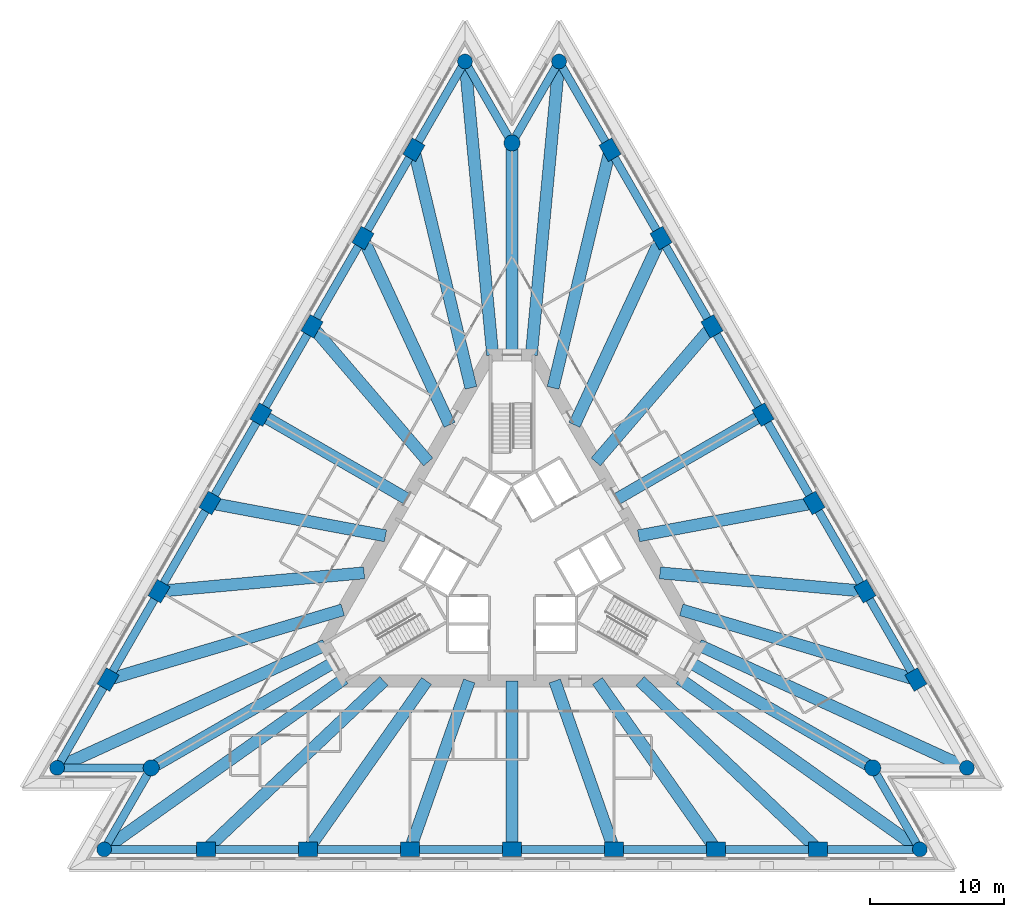
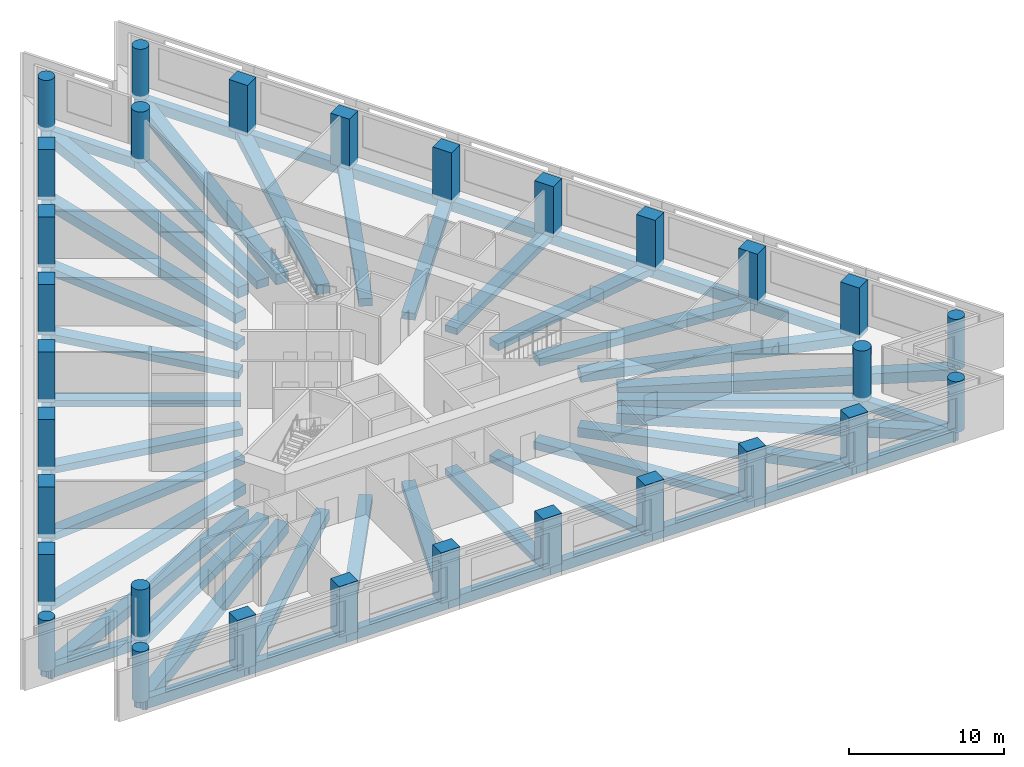
# One storey, part 1 of 11: 58 beams, 30 columns.
"""IFC4 building model written with IfcOpenShell, lengths in metres."""

from ifc_helpers import new_model, si_unit, direction, frame, origin, origin_2d, place, context, subcontext, project, spatial, rectangle, circle, extrude, material, material_profile, profile_set, type_object, element, save


model = new_model("IFC4")

# Units and contexts
model_context = context("Model", 3, precision=1e-05, world=origin(), true_north=direction((0.0, 1.0)))
body_context = subcontext(model_context, "Body", "Model", "MODEL_VIEW")
ifc_project = project(units=[si_unit("LENGTHUNIT", "METRE"), si_unit("AREAUNIT", "SQUARE_METRE"), si_unit("VOLUMEUNIT", "CUBIC_METRE"), si_unit("PLANEANGLEUNIT", "RADIAN"), si_unit("MASSUNIT", "GRAM", prefix="KILO")], contexts=[model_context])

# Site, building, storey
site_placement = place(None, origin())
site = spatial("IfcSite", under=ifc_project, at=site_placement, CompositionType="ELEMENT")
building_placement = place(site_placement, origin())
building = spatial("IfcBuilding", under=site, at=building_placement, Name="Triada Interchange Tower", CompositionType="ELEMENT")
storey_placement = place(building_placement, frame((0.0, 0.0, 39.300048828125)))
storey = spatial("IfcBuildingStorey", under=building, at=storey_placement, Name="L07", CompositionType="ELEMENT", Elevation=39.300048828125)

# Columns
ifc_material_1 = material(Name="Concrete C70/85", Category="concrete")
ifc_material_profile_1 = material_profile(ifc_material_1, rectangle(XDim=1.39990234375, YDim=1.10009765625, at=origin_2d()), Name="RC 1400x1100")
ifc_profile_set_1 = profile_set([ifc_material_profile_1], Name="Concrete C70/85")
column_type_1 = type_object("IfcColumnType", Name="Column A face RC 1400x1100", PredefinedType="COLUMN", material=ifc_profile_set_1)
for number, where, z_axis, x_axis, name in (
    (1, (-7.306884765625, 30.5439453125, -0.300048828125), (0.0, 0.0, 1.0), (0.5, 0.866025403784, 0.0), "Column CA02 L07"),
    (2, (-11.10595703125, 23.9619140625, -0.300048828125), (0.0, 0.0, 1.0), (0.5, 0.866025403784, 0.0), "Column CA03 L07"),
    (3, (-14.906005859375, 17.381103515625, -0.300048828125), (0.0, 0.0, 1.0), (0.5, 0.866025403784, 0.0), "Column CA04 L07"),
    (4, (-18.7060546875, 10.800048828125, -0.300048828125), (0.0, 0.0, 1.0), (0.5, 0.866025403784, 0.0), "Column CA05 L07"),
    (5, (-22.506103515625, 4.218994140625, -0.300048828125), (0.0, 0.0, 1.0), (0.5, 0.866025403784, 0.0), "Column CA06 L07"),
    (6, (-26.305908203125, -2.362060546875, -0.300048828125), (0.0, 0.0, 1.0), (0.5, 0.866025403784, 0.0), "Column CA07 L07"),
    (7, (-30.10498046875, -8.944091796875, -0.300048828125), (0.0, 0.0, 1.0), (0.5, 0.866025403784, 0.0), "Column CA08 L07"),
    (8, (-22.798095703125, -21.60009765625, -0.300048828125), (0.0, 0.0, 1.0), (1.0, 0.0, 0.0), "Column CA11 L07"),
    (9, (-15.197998046875, -21.60009765625, -0.300048828125), (0.0, 0.0, 1.0), (1.0, 0.0, 0.0), "Column CA12 L07"),
    (10, (-7.59912109375, -21.60009765625, -0.300048828125), (0.0, 0.0, 1.0), (1.0, 0.0, 0.0), "Column CA13 L07"),
    (11, (0.0, -21.60009765625, -0.300048828125), (0.0, 0.0, 1.0), (1.0, 0.0, 0.0), "Column CA14 L07"),
    (12, (7.59912109375, -21.60009765625, -0.300048828125), (0.0, 0.0, 1.0), (1.0, 0.0, 0.0), "Column CA15 L07"),
    (13, (15.198974609375, -21.60009765625, -0.300048828125), (0.0, 0.0, 1.0), (1.0, 0.0, 0.0), "Column CA16 L07"),
    (14, (22.798095703125, -21.60009765625, -0.300048828125), (0.0, 0.0, 1.0), (1.0, 0.0, 0.0), "Column CA17 L07"),
    (15, (30.10498046875, -8.944091796875, -0.300048828125), (0.0, 0.0, 1.0), (-0.5, 0.866025403784, 0.0), "Column CA20 L07"),
    (16, (26.305908203125, -2.363037109375, -0.300048828125), (0.0, 0.0, 1.0), (-0.5, 0.866025403784, 0.0), "Column CA21 L07"),
    (17, (22.506103515625, 4.218994140625, -0.300048828125), (0.0, 0.0, 1.0), (-0.5, 0.866025403784, 0.0), "Column CA22 L07"),
    (18, (18.7060546875, 10.800048828125, -0.300048828125), (0.0, 0.0, 1.0), (-0.5, 0.866025403784, 0.0), "Column CA23 L07"),
    (19, (14.906005859375, 17.381103515625, -0.300048828125), (0.0, 0.0, 1.0), (-0.5, 0.866025403784, 0.0), "Column CA24 L07"),
    (20, (11.10595703125, 23.9619140625, -0.300048828125), (0.0, 0.0, 1.0), (-0.5, 0.866025403784, 0.0), "Column CA25 L07"),
    (21, (7.306884765625, 30.5439453125, -0.300048828125), (0.0, 0.0, 1.0), (-0.5, 0.866025403784, 0.0), "Column CA26 L07"),
):
    element("IfcColumn", number, at=place(storey_placement, frame(where, z_axis=z_axis, x_axis=x_axis)), inside=storey, type_object=column_type_1, Name=name, PredefinedType="COLUMN", context=body_context, shape_type="SweptSolid", body=[
        extrude(rectangle(XDim=1.39990234375, YDim=1.10009765625, at=origin_2d()), origin(), (0.0, 0.0, 1.0), 4.0),
    ])
ifc_material_profile_2 = material_profile(ifc_material_1, circle(Radius=0.550048828125, at=origin_2d()), Name="RC D1100")
ifc_profile_set_2 = profile_set([ifc_material_profile_2], Name="Concrete C70/85")
column_type_2 = type_object("IfcColumnType", Name="End column A RC D1100", PredefinedType="COLUMN", material=ifc_profile_set_2)
for number, where, z_axis, x_axis, name in (
    (22, (-3.507080078125, 37.125, -0.300048828125), (0.0, 0.0, 1.0), (0.5, 0.866025403784, 0.0), "Column CA01 L07"),
    (23, (-33.905029296875, -15.52490234375, -0.300048828125), (0.0, 0.0, 1.0), (0.5, 0.866025403784, 0.0), "Column CA09 L07"),
    (24, (-30.39697265625, -21.60009765625, -0.300048828125), (0.0, 0.0, 1.0), (1.0, 0.0, 0.0), "Column CA10 L07"),
    (25, (30.39697265625, -21.60009765625, -0.300048828125), (0.0, 0.0, 1.0), (1.0, 0.0, 0.0), "Column CA18 L07"),
    (26, (33.905029296875, -15.52490234375, -0.300048828125), (0.0, 0.0, 1.0), (-0.5, 0.866025403784, 0.0), "Column CA19 L07"),
    (27, (3.507080078125, 37.125, -0.300048828125), (0.0, 0.0, 1.0), (-0.5, 0.866025403784, 0.0), "Column CA27 L07"),
):
    element("IfcColumn", number, at=place(storey_placement, frame(where, z_axis=z_axis, x_axis=x_axis)), inside=storey, type_object=column_type_2, Name=name, PredefinedType="COLUMN", context=body_context, shape_type="SweptSolid", body=[
        extrude(circle(Radius=0.550048828125, at=origin_2d()), origin(), (0.0, 0.0, 1.0), 4.0),
    ])
ifc_material_profile_3 = material_profile(ifc_material_1, circle(Radius=0.60009765625, at=origin_2d()), Name="RC D1200")
ifc_profile_set_3 = profile_set([ifc_material_profile_3], Name="Concrete C70/85")
column_type_3 = type_object("IfcColumnType", Name="Mega column A RC D1200", PredefinedType="COLUMN", material=ifc_profile_set_3)
for number, where, z_axis, x_axis, name in (
    (28, (0.0, 31.050048828125, -0.300048828125), (0.0, 0.0, 1.0), (1.0, 0.0, 0.0), "Column MA1 L07"),
    (29, (-26.889892578125, -15.52490234375, -0.300048828125), (0.0, 0.0, 1.0), (1.0, 0.0, 0.0), "Column MA2 L07"),
    (30, (26.889892578125, -15.52490234375, -0.300048828125), (0.0, 0.0, 1.0), (1.0, 0.0, 0.0), "Column MA3 L07"),
):
    element("IfcColumn", number, at=place(storey_placement, frame(where, z_axis=z_axis, x_axis=x_axis)), inside=storey, type_object=column_type_3, Name=name, PredefinedType="COLUMN", context=body_context, shape_type="SweptSolid", body=[
        extrude(circle(Radius=0.60009765625, at=origin_2d()), origin(), (0.0, 0.0, 1.0), 4.0),
    ])

# Beams
ifc_material_2 = material(Name="Concrete C50/60", Category="concrete")
ifc_material_profile_4 = material_profile(ifc_material_2, rectangle(XDim=0.89990234375, YDim=0.5, at=origin_2d()), Name="RC 900x500")
ifc_profile_set_4 = profile_set([ifc_material_profile_4], Name="Concrete C50/60")
beam_type_1 = type_object("IfcBeamType", Name="Radial band beam A RC 900x500", PredefinedType="BEAM", material=ifc_profile_set_4)
beam_1_placement = place(storey_placement, frame((-18.7060546875, 10.800048828125, -0.550048828125), z_axis=(0.866030743932, -0.499990750478, 0.0), x_axis=(0.499990750478, 0.866030743932, 0.0)))
element("IfcBeam", 31, at=beam_1_placement, inside=storey, type_object=beam_type_1, Name="Radial band beam BA05 L07", PredefinedType="BEAM", context=body_context, shape_type="SweptSolid", body=[
    extrude(rectangle(XDim=0.89990234375, YDim=0.5, at=origin_2d()), origin(), (0.0, 0.0, 1.0), 12.550537109375),
])
beam_2_placement = place(storey_placement, frame((0.0, -21.60009765625, -0.550048828125), z_axis=(0.0, 1.0, 0.0), x_axis=(-1.0, 0.0, 0.0)))
element("IfcBeam", 32, at=beam_2_placement, inside=storey, type_object=beam_type_1, Name="Radial band beam BA15 L07", PredefinedType="BEAM", context=body_context, shape_type="SweptSolid", body=[
    extrude(rectangle(XDim=0.89990234375, YDim=0.5, at=origin_2d()), origin(), (0.0, 0.0, 1.0), 12.550048828125),
])
beam_3_placement = place(storey_placement, frame((18.7060546875, 10.800048828125, -0.550048828125), z_axis=(-0.866030743932, -0.499990750478, 0.0), x_axis=(0.499990750478, -0.866030743932, 0.0)))
element("IfcBeam", 33, at=beam_3_placement, inside=storey, type_object=beam_type_1, Name="Radial band beam BA25 L07", PredefinedType="BEAM", context=body_context, shape_type="SweptSolid", body=[
    extrude(rectangle(XDim=0.89990234375, YDim=0.5, at=origin_2d()), origin(), (0.0, 0.0, 1.0), 12.550537109375),
])
ifc_material_profile_5 = material_profile(ifc_material_2, rectangle(XDim=0.89990234375, YDim=0.550048828125, at=origin_2d()), Name="RC 900x550")
ifc_profile_set_5 = profile_set([ifc_material_profile_5], Name="Concrete C50/60")
beam_type_2 = type_object("IfcBeamType", Name="Radial band beam A RC 900x550", PredefinedType="BEAM", material=ifc_profile_set_5)
beam_4_placement = place(storey_placement, frame((-14.906005859375, 17.381103515625, -0.574951171875), z_axis=(0.650986299773, -0.75908947925, 0.0), x_axis=(0.75908947925, 0.650986299773, 0.0)))
element("IfcBeam", 34, at=beam_4_placement, inside=storey, type_object=beam_type_2, Name="Radial band beam BA04 L07", PredefinedType="BEAM", context=body_context, shape_type="SweptSolid", body=[
    extrude(rectangle(XDim=0.89990234375, YDim=0.550048828125, at=origin_2d()), origin(), (0.0, 0.0, 1.0), 13.30419921875),
])
for number, where, z_axis, x_axis, name in (
    (35, (-22.506103515625, 4.218994140625, -0.574951171875), (0.982883818868, -0.184226487259, 0.0), (0.184226487259, 0.982883818868, 0.0), "Radial band beam BA06 L07"),
    (36, (-7.59912109375, -21.60009765625, -0.574951171875), (0.33185813028, 0.943329306959, 0.0), (-0.943329306959, 0.33185813028, 0.0), "Radial band beam BA14 L07"),
    (37, (7.59912109375, -21.60009765625, -0.574951171875), (-0.33185813028, 0.943329306959, 0.0), (-0.943329306959, -0.33185813028, 0.0), "Radial band beam BA16 L07"),
    (38, (22.506103515625, 4.218994140625, -0.574951171875), (-0.982883818868, -0.184226487259, 0.0), (0.184226487259, -0.982883818868, 0.0), "Radial band beam BA24 L07"),
):
    element("IfcBeam", number, at=place(storey_placement, frame(where, z_axis=z_axis, x_axis=x_axis)), inside=storey, type_object=beam_type_2, Name=name, PredefinedType="BEAM", context=body_context, shape_type="SweptSolid", body=[
        extrude(rectangle(XDim=0.89990234375, YDim=0.550048828125, at=origin_2d()), origin(), (0.0, 0.0, 1.0), 13.303955078125),
    ])
beam_5_placement = place(storey_placement, frame((14.906005859375, 17.381103515625, -0.574951171875), z_axis=(-0.650986299773, -0.75908947925, 0.0), x_axis=(0.75908947925, -0.650986299773, 0.0)))
element("IfcBeam", 39, at=beam_5_placement, inside=storey, type_object=beam_type_2, Name="Radial band beam BA26 L07", PredefinedType="BEAM", context=body_context, shape_type="SweptSolid", body=[
    extrude(rectangle(XDim=0.89990234375, YDim=0.550048828125, at=origin_2d()), origin(), (0.0, 0.0, 1.0), 13.30419921875),
])
ifc_material_profile_6 = material_profile(ifc_material_2, rectangle(XDim=0.89990234375, YDim=0.60009765625, at=origin_2d()), Name="RC 900x600")
ifc_profile_set_6 = profile_set([ifc_material_profile_6], Name="Concrete C50/60")
beam_type_3 = type_object("IfcBeamType", Name="Radial band beam A RC 900x600", PredefinedType="BEAM", material=ifc_profile_set_6)
beam_6_placement = place(storey_placement, frame((-11.10595703125, 23.9619140625, -0.60009765625), z_axis=(0.420529694642, -0.907278775198, 0.0), x_axis=(0.907278775198, 0.420529694642, 0.0)))
element("IfcBeam", 40, at=beam_6_placement, inside=storey, type_object=beam_type_3, Name="Radial band beam BA03 L07", PredefinedType="BEAM", context=body_context, shape_type="SweptSolid", body=[
    extrude(rectangle(XDim=0.89990234375, YDim=0.60009765625, at=origin_2d()), origin(), (0.0, 0.0, 1.0), 15.3447265625),
])
beam_7_placement = place(storey_placement, frame((-26.305908203125, -2.362060546875, -0.60009765625), z_axis=(0.995994682028, 0.089412490024, 0.0), x_axis=(-0.089412490024, 0.995994682028, 0.0)))
element("IfcBeam", 41, at=beam_7_placement, inside=storey, type_object=beam_type_3, Name="Radial band beam BA07 L07", PredefinedType="BEAM", context=body_context, shape_type="SweptSolid", body=[
    extrude(rectangle(XDim=0.89990234375, YDim=0.60009765625, at=origin_2d()), origin(), (0.0, 0.0, 1.0), 15.345458984375),
])
beam_8_placement = place(storey_placement, frame((-15.197998046875, -21.60009765625, -0.60009765625), z_axis=(0.575430742672, 0.81785051225, 0.0), x_axis=(-0.81785051225, 0.575430742672, 0.0)))
element("IfcBeam", 42, at=beam_8_placement, inside=storey, type_object=beam_type_3, Name="Radial band beam BA13 L07", PredefinedType="BEAM", context=body_context, shape_type="SweptSolid", body=[
    extrude(rectangle(XDim=0.89990234375, YDim=0.60009765625, at=origin_2d()), origin(), (0.0, 0.0, 1.0), 15.34521484375),
])
beam_9_placement = place(storey_placement, frame((15.198974609375, -21.60009765625, -0.60009765625), z_axis=(-0.575473307665, 0.817820562327, 0.0), x_axis=(-0.817820562327, -0.575473307665, 0.0)))
element("IfcBeam", 43, at=beam_9_placement, inside=storey, type_object=beam_type_3, Name="Radial band beam BA17 L07", PredefinedType="BEAM", context=body_context, shape_type="SweptSolid", body=[
    extrude(rectangle(XDim=0.89990234375, YDim=0.60009765625, at=origin_2d()), origin(), (0.0, 0.0, 1.0), 15.345703125),
])
beam_10_placement = place(storey_placement, frame((26.305908203125, -2.363037109375, -0.60009765625), z_axis=(-0.995989012748, 0.089475619502, 0.0), x_axis=(-0.089475619502, -0.995989012748, 0.0)))
element("IfcBeam", 44, at=beam_10_placement, inside=storey, type_object=beam_type_3, Name="Radial band beam BA23 L07", PredefinedType="BEAM", context=body_context, shape_type="SweptSolid", body=[
    extrude(rectangle(XDim=0.89990234375, YDim=0.60009765625, at=origin_2d()), origin(), (0.0, 0.0, 1.0), 15.345458984375),
])
beam_11_placement = place(storey_placement, frame((11.10595703125, 23.9619140625, -0.60009765625), z_axis=(-0.420529694642, -0.907278775198, 0.0), x_axis=(0.907278775198, -0.420529694642, 0.0)))
element("IfcBeam", 45, at=beam_11_placement, inside=storey, type_object=beam_type_3, Name="Radial band beam BA27 L07", PredefinedType="BEAM", context=body_context, shape_type="SweptSolid", body=[
    extrude(rectangle(XDim=0.89990234375, YDim=0.60009765625, at=origin_2d()), origin(), (0.0, 0.0, 1.0), 15.3447265625),
])
ifc_material_profile_7 = material_profile(ifc_material_2, rectangle(XDim=0.89990234375, YDim=0.64990234375, at=origin_2d()), Name="RC 900x650")
ifc_profile_set_7 = profile_set([ifc_material_profile_7], Name="Concrete C50/60")
beam_type_4 = type_object("IfcBeamType", Name="Radial band beam A RC 900x650", PredefinedType="BEAM", material=ifc_profile_set_7)
for number, where, z_axis, x_axis, name in (
    (46, (-26.889892578125, -15.52490234375, -0.625), (0.866022699503, 0.500004683924, 0.0), (-0.500004683924, 0.866022699503, 0.0), "Radial band beam BA10 L07"),
    (47, (26.889892578125, -15.52490234375, -0.625), (-0.866022699503, 0.500004683924, 0.0), (-0.500004683924, -0.866022699503, 0.0), "Radial band beam BA20 L07"),
):
    element("IfcBeam", number, at=place(storey_placement, frame(where, z_axis=z_axis, x_axis=x_axis)), inside=storey, type_object=beam_type_4, Name=name, PredefinedType="BEAM", context=body_context, shape_type="SweptSolid", body=[
        extrude(rectangle(XDim=0.89990234375, YDim=0.64990234375, at=origin_2d()), origin(), (0.0, 0.0, 1.0), 15.799560546875),
    ])
beam_12_placement = place(storey_placement, frame((0.0, 31.050048828125, -0.625), z_axis=(0.0, -1.0, 0.0), x_axis=(1.0, 0.0, 0.0)))
element("IfcBeam", 48, at=beam_12_placement, inside=storey, type_object=beam_type_4, Name="Radial band beam BA30 L07", PredefinedType="BEAM", context=body_context, shape_type="SweptSolid", body=[
    extrude(rectangle(XDim=0.89990234375, YDim=0.64990234375, at=origin_2d()), origin(), (0.0, 0.0, 1.0), 15.800048828125),
])
ifc_material_profile_8 = material_profile(ifc_material_2, rectangle(XDim=0.89990234375, YDim=0.75, at=origin_2d()), Name="RC 900x750")
ifc_profile_set_8 = profile_set([ifc_material_profile_8], Name="Concrete C50/60")
beam_type_5 = type_object("IfcBeamType", Name="Radial band beam A RC 900x750", PredefinedType="BEAM", material=ifc_profile_set_8)
beam_13_placement = place(storey_placement, frame((-7.306884765625, 30.5439453125, -0.675048828125), z_axis=(0.232679133669, -0.972553556754, 0.0), x_axis=(0.972553556754, 0.232679133669, 0.0)))
element("IfcBeam", 49, at=beam_13_placement, inside=storey, type_object=beam_type_5, Name="Radial band beam BA02 L07", PredefinedType="BEAM", context=body_context, shape_type="SweptSolid", body=[
    extrude(rectangle(XDim=0.89990234375, YDim=0.75, at=origin_2d()), origin(), (0.0, 0.0, 1.0), 18.24755859375),
])
beam_14_placement = place(storey_placement, frame((-30.10498046875, -8.944091796875, -0.675048828125), z_axis=(0.958595800854, 0.284770241748, 0.0), x_axis=(-0.284770241748, 0.958595800854, 0.0)))
element("IfcBeam", 50, at=beam_14_placement, inside=storey, type_object=beam_type_5, Name="Radial band beam BA08 L07", PredefinedType="BEAM", context=body_context, shape_type="SweptSolid", body=[
    extrude(rectangle(XDim=0.89990234375, YDim=0.75, at=origin_2d()), origin(), (0.0, 0.0, 1.0), 18.246337890625),
])
for number, where, z_axis, x_axis, name in (
    (51, (-22.798095703125, -21.60009765625, -0.675048828125), (0.725922095727, 0.687776933995, 0.0), (-0.687776933995, 0.725922095727, 0.0), "Radial band beam BA12 L07"),
    (52, (22.798095703125, -21.60009765625, -0.675048828125), (-0.725922095727, 0.687776933995, 0.0), (-0.687776933995, -0.725922095727, 0.0), "Radial band beam BA18 L07"),
):
    element("IfcBeam", number, at=place(storey_placement, frame(where, z_axis=z_axis, x_axis=x_axis)), inside=storey, type_object=beam_type_5, Name=name, PredefinedType="BEAM", context=body_context, shape_type="SweptSolid", body=[
        extrude(rectangle(XDim=0.89990234375, YDim=0.75, at=origin_2d()), origin(), (0.0, 0.0, 1.0), 18.247314453125),
    ])
beam_15_placement = place(storey_placement, frame((30.10498046875, -8.944091796875, -0.675048828125), z_axis=(-0.958595800854, 0.284770241748, 0.0), x_axis=(-0.284770241748, -0.958595800854, 0.0)))
element("IfcBeam", 53, at=beam_15_placement, inside=storey, type_object=beam_type_5, Name="Radial band beam BA22 L07", PredefinedType="BEAM", context=body_context, shape_type="SweptSolid", body=[
    extrude(rectangle(XDim=0.89990234375, YDim=0.75, at=origin_2d()), origin(), (0.0, 0.0, 1.0), 18.246337890625),
])
beam_16_placement = place(storey_placement, frame((7.306884765625, 30.5439453125, -0.675048828125), z_axis=(-0.232679133669, -0.972553556754, 0.0), x_axis=(0.972553556754, -0.232679133669, 0.0)))
element("IfcBeam", 54, at=beam_16_placement, inside=storey, type_object=beam_type_5, Name="Radial band beam BA28 L07", PredefinedType="BEAM", context=body_context, shape_type="SweptSolid", body=[
    extrude(rectangle(XDim=0.89990234375, YDim=0.75, at=origin_2d()), origin(), (0.0, 0.0, 1.0), 18.24755859375),
])
ifc_material_profile_9 = material_profile(ifc_material_2, rectangle(XDim=0.89990234375, YDim=0.85009765625, at=origin_2d()), Name="RC 900x850")
ifc_profile_set_9 = profile_set([ifc_material_profile_9], Name="Concrete C50/60")
beam_type_6 = type_object("IfcBeamType", Name="Radial band beam A RC 900x850", PredefinedType="BEAM", material=ifc_profile_set_9)
beam_17_placement = place(storey_placement, frame((-3.507080078125, 37.125, -0.72509765625), z_axis=(0.094034596604, -0.995568930131, 0.0), x_axis=(0.995568930131, 0.094034596604, 0.0)))
element("IfcBeam", 55, at=beam_17_placement, inside=storey, type_object=beam_type_6, Name="Radial band beam BA01 L07", PredefinedType="BEAM", context=body_context, shape_type="SweptSolid", body=[
    extrude(rectangle(XDim=0.89990234375, YDim=0.85009765625, at=origin_2d()), origin(), (0.0, 0.0, 1.0), 21.972412109375),
])
beam_18_placement = place(storey_placement, frame((-33.905029296875, -15.52490234375, -0.72509765625), z_axis=(0.909206110878, 0.416346307709, 0.0), x_axis=(-0.416346307709, 0.909206110878, 0.0)))
element("IfcBeam", 56, at=beam_18_placement, inside=storey, type_object=beam_type_6, Name="Radial band beam BA09 L07", PredefinedType="BEAM", context=body_context, shape_type="SweptSolid", body=[
    extrude(rectangle(XDim=0.89990234375, YDim=0.85009765625, at=origin_2d()), origin(), (0.0, 0.0, 1.0), 21.971923828125),
])
for number, where, z_axis, x_axis, name in (
    (57, (-30.39697265625, -21.60009765625, -0.72509765625), (0.815161217364, 0.579234140659, 0.0), (-0.579234140659, 0.815161217364, 0.0), "Radial band beam BA11 L07"),
    (58, (30.39697265625, -21.60009765625, -0.72509765625), (-0.815161217364, 0.579234140659, 0.0), (-0.579234140659, -0.815161217364, 0.0), "Radial band beam BA19 L07"),
):
    element("IfcBeam", number, at=place(storey_placement, frame(where, z_axis=z_axis, x_axis=x_axis)), inside=storey, type_object=beam_type_6, Name=name, PredefinedType="BEAM", context=body_context, shape_type="SweptSolid", body=[
        extrude(rectangle(XDim=0.89990234375, YDim=0.85009765625, at=origin_2d()), origin(), (0.0, 0.0, 1.0), 21.97216796875),
    ])
beam_19_placement = place(storey_placement, frame((33.905029296875, -15.52490234375, -0.72509765625), z_axis=(-0.909206110878, 0.416346307709, 0.0), x_axis=(-0.416346307709, -0.909206110878, 0.0)))
element("IfcBeam", 59, at=beam_19_placement, inside=storey, type_object=beam_type_6, Name="Radial band beam BA21 L07", PredefinedType="BEAM", context=body_context, shape_type="SweptSolid", body=[
    extrude(rectangle(XDim=0.89990234375, YDim=0.85009765625, at=origin_2d()), origin(), (0.0, 0.0, 1.0), 21.971923828125),
])
beam_20_placement = place(storey_placement, frame((3.507080078125, 37.125, -0.72509765625), z_axis=(-0.094034596604, -0.995568930131, 0.0), x_axis=(0.995568930131, -0.094034596604, 0.0)))
element("IfcBeam", 60, at=beam_20_placement, inside=storey, type_object=beam_type_6, Name="Radial band beam BA29 L07", PredefinedType="BEAM", context=body_context, shape_type="SweptSolid", body=[
    extrude(rectangle(XDim=0.89990234375, YDim=0.85009765625, at=origin_2d()), origin(), (0.0, 0.0, 1.0), 21.972412109375),
])
ifc_material_profile_10 = material_profile(ifc_material_2, rectangle(XDim=0.60009765625, YDim=0.800048828125, at=origin_2d()), Name="RC 600x800")
ifc_profile_set_10 = profile_set([ifc_material_profile_10], Name="Concrete C50/60")
beam_type_7 = type_object("IfcBeamType", Name="Spandrel beam A RC 600x800", PredefinedType="BEAM", material=ifc_profile_set_10)
beam_21_placement = place(storey_placement, frame((-3.507080078125, 37.125, -0.699951171875), z_axis=(-0.500022797313, -0.86601224135, 0.0), x_axis=(0.86601224135, -0.500022797313, 0.0)))
element("IfcBeam", 61, at=beam_21_placement, inside=storey, type_object=beam_type_7, Name="Spandrel beam EA01 L07", PredefinedType="BEAM", context=body_context, shape_type="SweptSolid", body=[
    extrude(rectangle(XDim=0.60009765625, YDim=0.800048828125, at=origin_2d()), origin(), (0.0, 0.0, 1.0), 7.599365234375),
])
beam_22_placement = place(storey_placement, frame((-7.306884765625, 30.5439453125, -0.699951171875), z_axis=(-0.499894869559, -0.866086092366, 0.0), x_axis=(0.866086092366, -0.499894869559, 0.0)))
element("IfcBeam", 62, at=beam_22_placement, inside=storey, type_object=beam_type_7, Name="Spandrel beam EA02 L07", PredefinedType="BEAM", context=body_context, shape_type="SweptSolid", body=[
    extrude(rectangle(XDim=0.60009765625, YDim=0.800048828125, at=origin_2d()), origin(), (0.0, 0.0, 1.0), 7.599853515625),
])
beam_23_placement = place(storey_placement, frame((-11.10595703125, 23.9619140625, -0.699951171875), z_axis=(-0.500060803479, -0.865990296034, 0.0), x_axis=(0.865990296034, -0.500060803479, 0.0)))
element("IfcBeam", 63, at=beam_23_placement, inside=storey, type_object=beam_type_7, Name="Spandrel beam EA03 L07", PredefinedType="BEAM", context=body_context, shape_type="SweptSolid", body=[
    extrude(rectangle(XDim=0.60009765625, YDim=0.800048828125, at=origin_2d()), origin(), (0.0, 0.0, 1.0), 7.59912109375),
])
for number, where, z_axis, x_axis, name in (
    (64, (-14.906005859375, 17.381103515625, -0.699951171875), (-0.500046891162, -0.865998329467, 0.0), (0.865998329467, -0.500046891162, 0.0), "Spandrel beam EA04 L07"),
    (65, (-18.7060546875, 10.800048828125, -0.699951171875), (-0.500046891162, -0.865998329467, 0.0), (0.865998329467, -0.500046891162, 0.0), "Spandrel beam EA05 L07"),
    (66, (-22.506103515625, 4.218994140625, -0.699951171875), (-0.500022797313, -0.86601224135, 0.0), (0.86601224135, -0.500022797313, 0.0), "Spandrel beam EA06 L07"),
):
    element("IfcBeam", number, at=place(storey_placement, frame(where, z_axis=z_axis, x_axis=x_axis)), inside=storey, type_object=beam_type_7, Name=name, PredefinedType="BEAM", context=body_context, shape_type="SweptSolid", body=[
        extrude(rectangle(XDim=0.60009765625, YDim=0.800048828125, at=origin_2d()), origin(), (0.0, 0.0, 1.0), 7.599365234375),
    ])
beam_24_placement = place(storey_placement, frame((-26.305908203125, -2.362060546875, -0.699951171875), z_axis=(-0.499894869559, -0.866086092366, 0.0), x_axis=(0.866086092366, -0.499894869559, 0.0)))
element("IfcBeam", 67, at=beam_24_placement, inside=storey, type_object=beam_type_7, Name="Spandrel beam EA07 L07", PredefinedType="BEAM", context=body_context, shape_type="SweptSolid", body=[
    extrude(rectangle(XDim=0.60009765625, YDim=0.800048828125, at=origin_2d()), origin(), (0.0, 0.0, 1.0), 7.599853515625),
])
beam_25_placement = place(storey_placement, frame((-30.10498046875, -8.944091796875, -0.699951171875), z_axis=(-0.500060803479, -0.865990296034, 0.0), x_axis=(0.865990296034, -0.500060803479, 0.0)))
element("IfcBeam", 68, at=beam_25_placement, inside=storey, type_object=beam_type_7, Name="Spandrel beam EA08 L07", PredefinedType="BEAM", context=body_context, shape_type="SweptSolid", body=[
    extrude(rectangle(XDim=0.60009765625, YDim=0.800048828125, at=origin_2d()), origin(), (0.0, 0.0, 1.0), 7.59912109375),
])
beam_26_placement = place(storey_placement, frame((-33.905029296875, -15.52490234375, -0.699951171875), z_axis=(1.0, 0.0, 0.0), x_axis=(0.0, 1.0, 0.0)))
element("IfcBeam", 69, at=beam_26_placement, inside=storey, type_object=beam_type_7, Name="Spandrel beam EA09 L07", PredefinedType="BEAM", context=body_context, shape_type="SweptSolid", body=[
    extrude(rectangle(XDim=0.60009765625, YDim=0.800048828125, at=origin_2d()), origin(), (0.0, 0.0, 1.0), 7.01513671875),
])
beam_27_placement = place(storey_placement, frame((-26.889892578125, -15.52490234375, -0.699951171875), z_axis=(-0.499953429515, -0.866052289597, 0.0), x_axis=(0.866052289597, -0.499953429515, 0.0)))
element("IfcBeam", 70, at=beam_27_placement, inside=storey, type_object=beam_type_7, Name="Spandrel beam EA10 L07", PredefinedType="BEAM", context=body_context, shape_type="SweptSolid", body=[
    extrude(rectangle(XDim=0.60009765625, YDim=0.800048828125, at=origin_2d()), origin(), (0.0, 0.0, 1.0), 7.014892578125),
])
beam_28_placement = place(storey_placement, frame((-30.39697265625, -21.60009765625, -0.699951171875), z_axis=(1.0, 0.0, 0.0), x_axis=(0.0, 1.0, 0.0)))
element("IfcBeam", 71, at=beam_28_placement, inside=storey, type_object=beam_type_7, Name="Spandrel beam EA11 L07", PredefinedType="BEAM", context=body_context, shape_type="SweptSolid", body=[
    extrude(rectangle(XDim=0.60009765625, YDim=0.800048828125, at=origin_2d()), origin(), (0.0, 0.0, 1.0), 7.598876953125),
])
beam_29_placement = place(storey_placement, frame((-22.798095703125, -21.60009765625, -0.699951171875), z_axis=(1.0, 0.0, 0.0), x_axis=(0.0, 1.0, 0.0)))
element("IfcBeam", 72, at=beam_29_placement, inside=storey, type_object=beam_type_7, Name="Spandrel beam EA12 L07", PredefinedType="BEAM", context=body_context, shape_type="SweptSolid", body=[
    extrude(rectangle(XDim=0.60009765625, YDim=0.800048828125, at=origin_2d()), origin(), (0.0, 0.0, 1.0), 7.60009765625),
])
beam_30_placement = place(storey_placement, frame((-15.197998046875, -21.60009765625, -0.699951171875), z_axis=(1.0, 0.0, 0.0), x_axis=(0.0, 1.0, 0.0)))
element("IfcBeam", 73, at=beam_30_placement, inside=storey, type_object=beam_type_7, Name="Spandrel beam EA13 L07", PredefinedType="BEAM", context=body_context, shape_type="SweptSolid", body=[
    extrude(rectangle(XDim=0.60009765625, YDim=0.800048828125, at=origin_2d()), origin(), (0.0, 0.0, 1.0), 7.598876953125),
])
for number, where, z_axis, x_axis, name in (
    (74, (-7.59912109375, -21.60009765625, -0.699951171875), (1.0, 0.0, 0.0), (0.0, 1.0, 0.0), "Spandrel beam EA14 L07"),
    (75, (0.0, -21.60009765625, -0.699951171875), (1.0, 0.0, 0.0), (0.0, 1.0, 0.0), "Spandrel beam EA15 L07"),
):
    element("IfcBeam", number, at=place(storey_placement, frame(where, z_axis=z_axis, x_axis=x_axis)), inside=storey, type_object=beam_type_7, Name=name, PredefinedType="BEAM", context=body_context, shape_type="SweptSolid", body=[
        extrude(rectangle(XDim=0.60009765625, YDim=0.800048828125, at=origin_2d()), origin(), (0.0, 0.0, 1.0), 7.59912109375),
    ])
beam_31_placement = place(storey_placement, frame((7.59912109375, -21.60009765625, -0.699951171875), z_axis=(1.0, 0.0, 0.0), x_axis=(0.0, 1.0, 0.0)))
element("IfcBeam", 76, at=beam_31_placement, inside=storey, type_object=beam_type_7, Name="Spandrel beam EA16 L07", PredefinedType="BEAM", context=body_context, shape_type="SweptSolid", body=[
    extrude(rectangle(XDim=0.60009765625, YDim=0.800048828125, at=origin_2d()), origin(), (0.0, 0.0, 1.0), 7.599853515625),
])
beam_32_placement = place(storey_placement, frame((15.198974609375, -21.60009765625, -0.699951171875), z_axis=(1.0, 0.0, 0.0), x_axis=(0.0, 1.0, 0.0)))
element("IfcBeam", 77, at=beam_32_placement, inside=storey, type_object=beam_type_7, Name="Spandrel beam EA17 L07", PredefinedType="BEAM", context=body_context, shape_type="SweptSolid", body=[
    extrude(rectangle(XDim=0.60009765625, YDim=0.800048828125, at=origin_2d()), origin(), (0.0, 0.0, 1.0), 7.59912109375),
])
beam_33_placement = place(storey_placement, frame((22.798095703125, -21.60009765625, -0.699951171875), z_axis=(1.0, 0.0, 0.0), x_axis=(0.0, 1.0, 0.0)))
element("IfcBeam", 78, at=beam_33_placement, inside=storey, type_object=beam_type_7, Name="Spandrel beam EA18 L07", PredefinedType="BEAM", context=body_context, shape_type="SweptSolid", body=[
    extrude(rectangle(XDim=0.60009765625, YDim=0.800048828125, at=origin_2d()), origin(), (0.0, 0.0, 1.0), 7.598876953125),
])
beam_34_placement = place(storey_placement, frame((30.39697265625, -21.60009765625, -0.699951171875), z_axis=(-0.499953429515, 0.866052289597, 0.0), x_axis=(-0.866052289597, -0.499953429515, 0.0)))
element("IfcBeam", 79, at=beam_34_placement, inside=storey, type_object=beam_type_7, Name="Spandrel beam EA19 L07", PredefinedType="BEAM", context=body_context, shape_type="SweptSolid", body=[
    extrude(rectangle(XDim=0.60009765625, YDim=0.800048828125, at=origin_2d()), origin(), (0.0, 0.0, 1.0), 7.014892578125),
])
beam_35_placement = place(storey_placement, frame((30.10498046875, -8.944091796875, -0.699951171875), z_axis=(-0.499950508799, 0.866053975657, 0.0), x_axis=(-0.866053975657, -0.499950508799, 0.0)))
element("IfcBeam", 80, at=beam_35_placement, inside=storey, type_object=beam_type_7, Name="Spandrel beam EA22 L07", PredefinedType="BEAM", context=body_context, shape_type="SweptSolid", body=[
    extrude(rectangle(XDim=0.60009765625, YDim=0.800048828125, at=origin_2d()), origin(), (0.0, 0.0, 1.0), 7.598876953125),
])
beam_36_placement = place(storey_placement, frame((26.305908203125, -2.363037109375, -0.699951171875), z_axis=(-0.499967155389, 0.866044365799, 0.0), x_axis=(-0.866044365799, -0.499967155389, 0.0)))
element("IfcBeam", 81, at=beam_36_placement, inside=storey, type_object=beam_type_7, Name="Spandrel beam EA23 L07", PredefinedType="BEAM", context=body_context, shape_type="SweptSolid", body=[
    extrude(rectangle(XDim=0.60009765625, YDim=0.800048828125, at=origin_2d()), origin(), (0.0, 0.0, 1.0), 7.60009765625),
])
for number, where, z_axis, x_axis, name in (
    (82, (22.506103515625, 4.218994140625, -0.699951171875), (-0.500046891162, 0.865998329467, 0.0), (-0.865998329467, -0.500046891162, 0.0), "Spandrel beam EA24 L07"),
    (83, (18.7060546875, 10.800048828125, -0.699951171875), (-0.500046891162, 0.865998329467, 0.0), (-0.865998329467, -0.500046891162, 0.0), "Spandrel beam EA25 L07"),
):
    element("IfcBeam", number, at=place(storey_placement, frame(where, z_axis=z_axis, x_axis=x_axis)), inside=storey, type_object=beam_type_7, Name=name, PredefinedType="BEAM", context=body_context, shape_type="SweptSolid", body=[
        extrude(rectangle(XDim=0.60009765625, YDim=0.800048828125, at=origin_2d()), origin(), (0.0, 0.0, 1.0), 7.599365234375),
    ])
beam_37_placement = place(storey_placement, frame((14.906005859375, 17.381103515625, -0.699951171875), z_axis=(-0.500060803479, 0.865990296034, 0.0), x_axis=(-0.865990296034, -0.500060803479, 0.0)))
element("IfcBeam", 84, at=beam_37_placement, inside=storey, type_object=beam_type_7, Name="Spandrel beam EA26 L07", PredefinedType="BEAM", context=body_context, shape_type="SweptSolid", body=[
    extrude(rectangle(XDim=0.60009765625, YDim=0.800048828125, at=origin_2d()), origin(), (0.0, 0.0, 1.0), 7.59912109375),
])
beam_38_placement = place(storey_placement, frame((11.10595703125, 23.9619140625, -0.699951171875), z_axis=(-0.499894869559, 0.866086092366, 0.0), x_axis=(-0.866086092366, -0.499894869559, 0.0)))
element("IfcBeam", 85, at=beam_38_placement, inside=storey, type_object=beam_type_7, Name="Spandrel beam EA27 L07", PredefinedType="BEAM", context=body_context, shape_type="SweptSolid", body=[
    extrude(rectangle(XDim=0.60009765625, YDim=0.800048828125, at=origin_2d()), origin(), (0.0, 0.0, 1.0), 7.599853515625),
])
beam_39_placement = place(storey_placement, frame((7.306884765625, 30.5439453125, -0.699951171875), z_axis=(-0.500022797313, 0.86601224135, 0.0), x_axis=(-0.86601224135, -0.500022797313, 0.0)))
element("IfcBeam", 86, at=beam_39_placement, inside=storey, type_object=beam_type_7, Name="Spandrel beam EA28 L07", PredefinedType="BEAM", context=body_context, shape_type="SweptSolid", body=[
    extrude(rectangle(XDim=0.60009765625, YDim=0.800048828125, at=origin_2d()), origin(), (0.0, 0.0, 1.0), 7.599365234375),
])
for number, where, z_axis, x_axis, name in (
    (87, (3.507080078125, 37.125, -0.699951171875), (-0.49996849935, -0.866043589929, 0.0), (0.866043589929, -0.49996849935, 0.0), "Spandrel beam EA29 L07"),
    (88, (0.0, 31.050048828125, -0.699951171875), (-0.49996849935, 0.866043589929, 0.0), (-0.866043589929, -0.49996849935, 0.0), "Spandrel beam EA30 L07"),
):
    element("IfcBeam", number, at=place(storey_placement, frame(where, z_axis=z_axis, x_axis=x_axis)), inside=storey, type_object=beam_type_7, Name=name, PredefinedType="BEAM", context=body_context, shape_type="SweptSolid", body=[
        extrude(rectangle(XDim=0.60009765625, YDim=0.800048828125, at=origin_2d()), origin(), (0.0, 0.0, 1.0), 7.0146484375),
    ])

save(model, "model.ifc")
